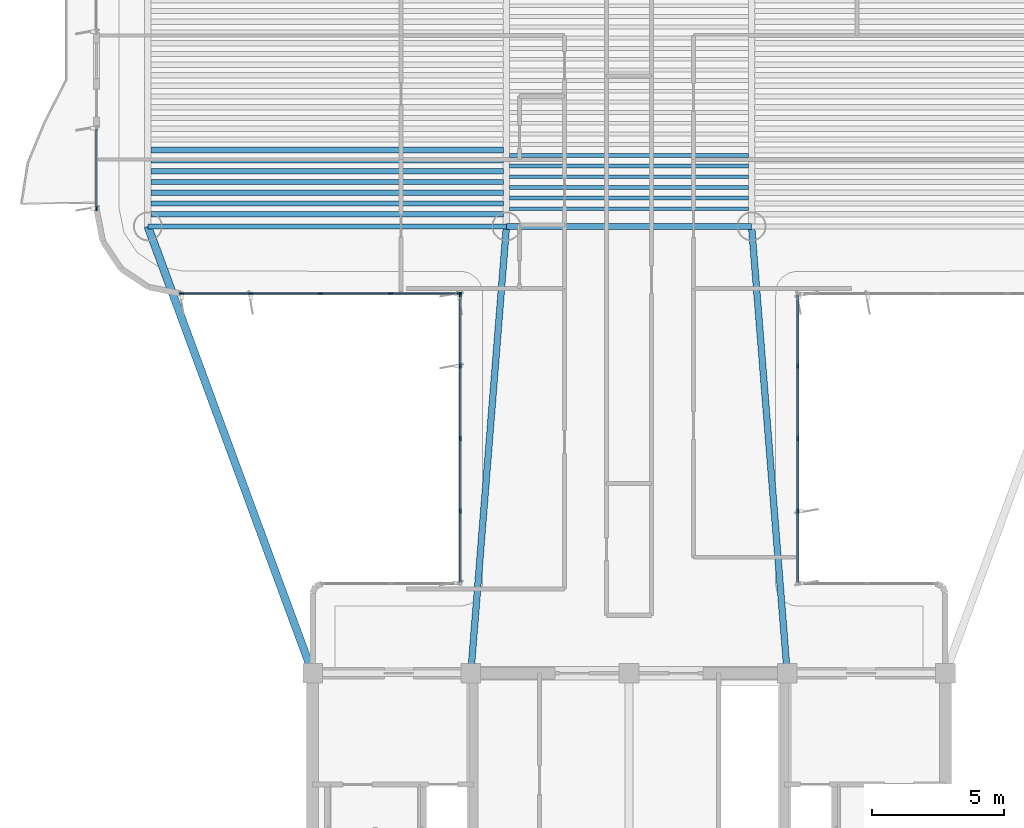
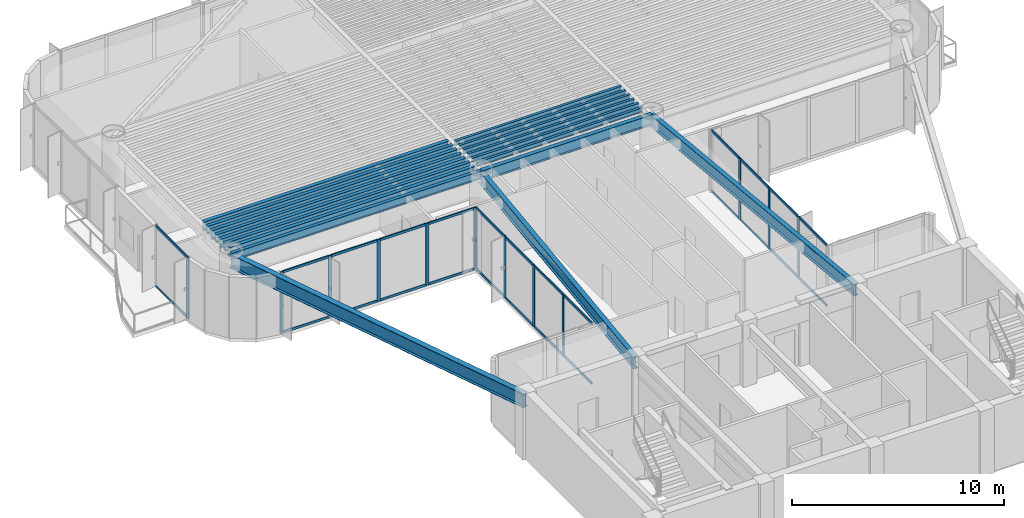
# One storey, part 3 of 14: 39 members, 18 beams, 4 elements without a shape of their own.
"""IFC4 building model written with IfcOpenShell, lengths in metres."""

from ifc_helpers import new_model, si_unit, direction, frame, origin, origin_2d, place, context, subcontext, project, spatial, rectangle, i_section, extrude, source, transform, mapped, material, layer, layer_set, material_profile, profile_set, type_object, element, aggregate, save


model = new_model("IFC4")

# Units and contexts
model_context = context("Model", 3, precision=1e-05, world=origin(), true_north=direction((0.0, 1.0)))
body_context = subcontext(model_context, "Body", "Model", "MODEL_VIEW")
ifc_project = project(units=[si_unit("LENGTHUNIT", "METRE"), si_unit("AREAUNIT", "SQUARE_METRE"), si_unit("VOLUMEUNIT", "CUBIC_METRE"), si_unit("PLANEANGLEUNIT", "RADIAN"), si_unit("MASSUNIT", "GRAM", prefix="KILO")], contexts=[model_context])

# Site, building, storey
site_placement = place(None, origin())
site = spatial("IfcSite", under=ifc_project, at=site_placement, CompositionType="ELEMENT")
building_placement = place(site_placement, origin())
building = spatial("IfcBuilding", under=site, at=building_placement, Name="Brelvock Crest Care Tower", CompositionType="ELEMENT")
storey_placement = place(building_placement, frame((0.0, 0.0, 201.780029296875)))
storey = spatial("IfcBuildingStorey", under=building, at=storey_placement, Name="L51", CompositionType="ELEMENT", Elevation=201.780029296875)

# Beams
ifc_material_1 = material(Name="Steel Grade 350", Category="steel")
ifc_material_profile_1 = material_profile(ifc_material_1, i_section(OverallWidth=0.22900390625, OverallDepth=0.612060546875, WebThickness=0.011962890625, FlangeThickness=0.01953125, FilletRadius=0.013916015625, at=origin_2d()), Name="610UB125")
ifc_profile_set_1 = profile_set([ifc_material_profile_1], Name="Steel Grade 350")
beam_type_1 = type_object("IfcBeamType", Name="BM-G1", PredefinedType="BEAM", material=ifc_profile_set_1)
shared_shape_1 = source(origin(), body_context, "Body", "SweptSolid", [
    extrude(i_section(OverallWidth=0.22900390625, OverallDepth=0.612060546875, WebThickness=0.011962890625, FlangeThickness=0.01953125, FilletRadius=0.013916015625, at=origin_2d()), origin(), (0.0, 0.0, 1.0), 9.2998046875),
])
beam_1_placement = place(storey_placement, frame((31.35009765625, 34.949951171875, 3.223876953125), z_axis=(1.0, 0.0, 0.0), x_axis=(0.0, 1.0, 0.0)))
element("IfcBeam", 1, at=beam_1_placement, inside=storey, type_object=beam_type_1, Name="BM-TWR-L51-05", PredefinedType="BEAM", context=body_context, shape_type="MappedRepresentation", body=[
    mapped(shared_shape_1, transform((0.0, 0.0, 0.0), x_axis=(1.0, 0.0, 0.0), y_axis=(0.0, 1.0, 0.0), z_axis=(0.0, 0.0, 1.0), scale=1.0)),
])
ifc_material_profile_2 = material_profile(ifc_material_1, i_section(OverallWidth=0.14599609375, OverallDepth=0.256103515625, WebThickness=0.00634765625, FlangeThickness=0.010986328125, FilletRadius=0.0087890625, at=origin_2d()), Name="250UB37.3")
ifc_profile_set_2 = profile_set([ifc_material_profile_2], Name="Steel Grade 350")
beam_type_2 = type_object("IfcBeamType", Name="BM-J3", PredefinedType="JOIST", material=ifc_profile_set_2)
shared_shape_2 = source(origin(), body_context, "Body", "SweptSolid", [
    extrude(i_section(OverallWidth=0.14599609375, OverallDepth=0.256103515625, WebThickness=0.00634765625, FlangeThickness=0.010986328125, FilletRadius=0.0087890625, at=origin_2d()), origin(), (0.0, 0.0, 1.0), 9.06982421875),
])
for number, where, z_axis, x_axis, name in (
    (2, (31.465087890625, 35.618896484375, 3.40185546875), (1.0, 0.0, 0.0), (0.0, 1.0, 0.0), "BM-JH-L51-1"),
    (3, (31.465087890625, 36.02392578125, 3.40185546875), (1.0, 0.0, 0.0), (0.0, 1.0, 0.0), "BM-JH-L51-2"),
    (4, (31.465087890625, 36.42919921875, 3.40185546875), (1.0, 0.0, 0.0), (0.0, 1.0, 0.0), "BM-JH-L51-3"),
    (5, (31.465087890625, 36.834228515625, 3.40185546875), (1.0, 0.0, 0.0), (0.0, 1.0, 0.0), "BM-JH-L51-4"),
    (6, (31.465087890625, 37.239501953125, 3.40185546875), (1.0, 0.0, 0.0), (0.0, 1.0, 0.0), "BM-JH-L51-5"),
    (7, (31.465087890625, 37.64453125, 3.40185546875), (1.0, 0.0, 0.0), (0.0, 1.0, 0.0), "BM-JH-L51-6"),
):
    element("IfcBeam", number, at=place(storey_placement, frame(where, z_axis=z_axis, x_axis=x_axis)), inside=storey, type_object=beam_type_2, Name=name, PredefinedType="JOIST", context=body_context, shape_type="MappedRepresentation", body=[
        mapped(shared_shape_2, transform((0.0, 0.0, 0.0), x_axis=(1.0, 0.0, 0.0), y_axis=(0.0, 1.0, 0.0), z_axis=(0.0, 0.0, 1.0), scale=1.0)),
    ])
ifc_material_profile_3 = material_profile(ifc_material_1, i_section(OverallWidth=0.208984375, OverallDepth=0.532958984375, WebThickness=0.01025390625, FlangeThickness=0.015625, FilletRadius=0.013916015625, at=origin_2d()), Name="530UB92.4")
ifc_profile_set_3 = profile_set([ifc_material_profile_3], Name="Steel Grade 350")
beam_type_3 = type_object("IfcBeamType", Name="BM-G2", PredefinedType="BEAM", material=ifc_profile_set_3)
shared_shape_3 = source(origin(), body_context, "Body", "SweptSolid", [
    extrude(i_section(OverallWidth=0.208984375, OverallDepth=0.532958984375, WebThickness=0.01025390625, FlangeThickness=0.015625, FilletRadius=0.013916015625, at=origin_2d()), origin(), (0.0, 0.0, 1.0), 13.3701171875),
])
for number, where, z_axis, x_axis, name in (
    (8, (17.864990234375, 35.416259765625, 3.263427734375), (1.0, 0.0, 0.0), (0.0, 1.0, 0.0), "BM-JW-L51-1"),
    (9, (17.864990234375, 36.2265625, 3.263427734375), (1.0, 0.0, 0.0), (0.0, 1.0, 0.0), "BM-JW-L51-3"),
    (10, (17.864990234375, 37.036865234375, 3.263427734375), (1.0, 0.0, 0.0), (0.0, 1.0, 0.0), "BM-JW-L51-5"),
    (11, (17.864990234375, 37.84716796875, 3.263427734375), (1.0, 0.0, 0.0), (0.0, 1.0, 0.0), "BM-JW-L51-7"),
):
    element("IfcBeam", number, at=place(storey_placement, frame(where, z_axis=z_axis, x_axis=x_axis)), inside=storey, type_object=beam_type_3, Name=name, PredefinedType="BEAM", context=body_context, shape_type="MappedRepresentation", body=[
        mapped(shared_shape_3, transform((0.0, 0.0, 0.0), x_axis=(1.0, 0.0, 0.0), y_axis=(0.0, 1.0, 0.0), z_axis=(0.0, 0.0, 1.0), scale=1.0)),
    ])
ifc_material_profile_4 = material_profile(ifc_material_1, i_section(OverallWidth=0.19091796875, OverallDepth=0.4599609375, WebThickness=0.010009765625, FlangeThickness=0.01611328125, FilletRadius=0.011474609375, at=origin_2d()), Name="460UB82.1")
ifc_profile_set_4 = profile_set([ifc_material_profile_4], Name="Steel Grade 350")
beam_type_4 = type_object("IfcBeamType", Name="BM-G3", PredefinedType="BEAM", material=ifc_profile_set_4)
shared_shape_4 = source(origin(), body_context, "Body", "SweptSolid", [
    extrude(i_section(OverallWidth=0.19091796875, OverallDepth=0.4599609375, WebThickness=0.010009765625, FlangeThickness=0.01611328125, FilletRadius=0.011474609375, at=origin_2d()), origin(), (0.0, 0.0, 1.0), 13.3701171875),
])
for number, where, z_axis, x_axis, name in (
    (12, (17.864990234375, 35.8212890625, 3.300048828125), (1.0, 0.0, 0.0), (0.0, 1.0, 0.0), "BM-JW-L51-2"),
    (13, (17.864990234375, 36.631591796875, 3.300048828125), (1.0, 0.0, 0.0), (0.0, 1.0, 0.0), "BM-JW-L51-4"),
    (14, (17.864990234375, 37.44189453125, 3.300048828125), (1.0, 0.0, 0.0), (0.0, 1.0, 0.0), "BM-JW-L51-6"),
):
    element("IfcBeam", number, at=place(storey_placement, frame(where, z_axis=z_axis, x_axis=x_axis)), inside=storey, type_object=beam_type_4, Name=name, PredefinedType="BEAM", context=body_context, shape_type="MappedRepresentation", body=[
        mapped(shared_shape_4, transform((0.0, 0.0, 0.0), x_axis=(1.0, 0.0, 0.0), y_axis=(0.0, 1.0, 0.0), z_axis=(0.0, 0.0, 1.0), scale=1.0)),
    ])
ifc_material_profile_5 = material_profile(ifc_material_1, i_section(OverallWidth=0.19091796875, OverallDepth=0.4599609375, WebThickness=0.010009765625, FlangeThickness=0.01611328125, FilletRadius=0.011474609375, at=origin_2d()), Name="460UB82.1")
ifc_profile_set_5 = profile_set([ifc_material_profile_5], Name="Steel Grade 350")
beam_type_5 = type_object("IfcBeamType", Name="BM-SP2", PredefinedType="SPANDREL", material=ifc_profile_set_5)
shared_shape_5 = source(origin(), body_context, "Body", "SweptSolid", [
    extrude(i_section(OverallWidth=0.19091796875, OverallDepth=0.4599609375, WebThickness=0.010009765625, FlangeThickness=0.01611328125, FilletRadius=0.011474609375, at=origin_2d()), origin(), (0.0, 0.0, 1.0), 13.60009765625),
])
beam_2_placement = place(storey_placement, frame((17.75, 34.949951171875, 3.300048828125), z_axis=(1.0, 0.0, 0.0), x_axis=(0.0, 1.0, 0.0)))
element("IfcBeam", 15, at=beam_2_placement, inside=storey, type_object=beam_type_5, Name="BM-TWR-L51-03", PredefinedType="SPANDREL", context=body_context, shape_type="MappedRepresentation", body=[
    mapped(shared_shape_5, transform((0.0, 0.0, 0.0), x_axis=(1.0, 0.0, 0.0), y_axis=(0.0, 1.0, 0.0), z_axis=(0.0, 0.0, 1.0), scale=1.0)),
])
ifc_material_profile_6 = material_profile(ifc_material_1, i_section(OverallWidth=0.25, OverallDepth=0.699951171875, WebThickness=0.011962890625, FlangeThickness=0.02001953125, at=origin_2d()), Name="700WB150")
ifc_profile_set_6 = profile_set([ifc_material_profile_6], Name="Steel Grade 350")
beam_type_6 = type_object("IfcBeamType", Name="BM-G4", PredefinedType="BEAM", material=ifc_profile_set_6)
shared_shape_6 = source(origin(), body_context, "Body", "SweptSolid", [
    extrude(i_section(OverallWidth=0.25, OverallDepth=0.699951171875, WebThickness=0.011962890625, FlangeThickness=0.02001953125, at=origin_2d()), origin(), (0.0, 0.0, 1.0), 17.003662109375),
])
for number, where, z_axis, x_axis, name in (
    (16, (30.0, 18.0, 3.179931640625), (0.079400530776, 0.996842793881, 0.0), (-0.996842793881, 0.079400530776, 0.0), "BM-THRW-L51"),
    (17, (42.0, 18.0, 3.179931640625), (-0.079400530776, 0.996842793881, 0.0), (-0.996842793881, -0.079400530776, 0.0), "BM-THRE-L51"),
):
    element("IfcBeam", number, at=place(storey_placement, frame(where, z_axis=z_axis, x_axis=x_axis)), inside=storey, type_object=beam_type_6, Name=name, PredefinedType="BEAM", context=body_context, shape_type="MappedRepresentation", body=[
        mapped(shared_shape_6, transform((0.0, 0.0, 0.0), x_axis=(1.0, 0.0, 0.0), y_axis=(0.0, 1.0, 0.0), z_axis=(0.0, 0.0, 1.0), scale=1.0)),
    ])
ifc_material_profile_7 = material_profile(ifc_material_1, i_section(OverallWidth=0.300048828125, OverallDepth=0.800048828125, WebThickness=0.013916015625, FlangeThickness=0.02197265625, at=origin_2d()), Name="800WB192")
ifc_profile_set_7 = profile_set([ifc_material_profile_7], Name="Steel Grade 350")
beam_type_7 = type_object("IfcBeamType", Name="BM-G5", PredefinedType="BEAM", material=ifc_profile_set_7)
shared_shape_7 = source(origin(), body_context, "Body", "SweptSolid", [
    extrude(i_section(OverallWidth=0.300048828125, OverallDepth=0.800048828125, WebThickness=0.013916015625, FlangeThickness=0.02197265625, at=origin_2d()), origin(), (0.0, 0.0, 1.0), 18.0654296875),
])
beam_3_placement = place(storey_placement, frame((24.0, 18.0, 3.1298828125), z_axis=(-0.345962741309, 0.938248251597, 0.0), x_axis=(-0.938248251597, -0.345962741309, 0.0)))
element("IfcBeam", 18, at=beam_3_placement, inside=storey, type_object=beam_type_7, Name="BM-THRO-W-L51", PredefinedType="BEAM", context=body_context, shape_type="MappedRepresentation", body=[
    mapped(shared_shape_7, transform((0.0, 0.0, 0.0), x_axis=(1.0, 0.0, 0.0), y_axis=(0.0, 1.0, 0.0), z_axis=(0.0, 0.0, 1.0), scale=1.0)),
])

# Curtain wall, members
ifc_material_2 = material(Name="Dark Glass Double Glazed Low-E", Category="glass")
ifc_layer = layer(ifc_material_2, 0.22509765625, Name="CWS-4")
ifc_layer_set = layer_set([ifc_layer], Name="Dark Glass Double Glazed Low-E")
curtain_wall_type = type_object("IfcCurtainWallType", Name="CWS-4", PredefinedType="NOTDEFINED", material=ifc_layer_set)
curtain_wall_1_placement = place(storey_placement, origin())
curtain_wall_1 = element("IfcCurtainWall", 19, at=curtain_wall_1_placement, inside=storey, type_object=curtain_wall_type, Name="L51 Curtain Wall E11", PredefinedType="NOTDEFINED")
ifc_material_3 = material(Name="Aluminium 6063-T6", Category="aluminium")
ifc_material_profile_8 = material_profile(ifc_material_3, rectangle(XDim=0.06005859375, YDim=0.179931640625, at=origin_2d()), Name="ALU60x180")
ifc_profile_set_8 = profile_set([ifc_material_profile_8], Name="Aluminium 6063-T6")
member_type_1 = type_object("IfcMemberType", Name="CWM-2", PredefinedType="MULLION", material=ifc_profile_set_8)
shared_shape_8 = source(origin(), body_context, "Body", "SweptSolid", [
    extrude(rectangle(XDim=0.06005859375, YDim=0.179931640625, at=origin_2d()), origin(), (0.0, 0.0, 1.0), 3.530029296875),
])
member_1_placement = place(storey_placement, frame((29.60009765625, 24.14990234375, 0.0), z_axis=(0.0, 0.0, 1.0), x_axis=(-1.0, 0.0, 0.0)))
member_1 = element("IfcMember", 20, at=member_1_placement, type_object=member_type_1, Name="CW-4 mullion 2", PredefinedType="MULLION", context=body_context, shape_type="MappedRepresentation", body=[
    mapped(shared_shape_8, transform((0.0, 0.0, 0.0), x_axis=(1.0, 0.0, 0.0), y_axis=(0.0, 1.0, 0.0), z_axis=(0.0, 0.0, 1.0), scale=1.0)),
])
member_2_placement = place(storey_placement, frame((29.60009765625, 26.89990234375, 0.0), z_axis=(0.0, 0.0, 1.0), x_axis=(-1.0, 0.0, 0.0)))
member_2 = element("IfcMember", 21, at=member_2_placement, type_object=member_type_1, Name="CW-4 mullion 3", PredefinedType="MULLION", context=body_context, shape_type="MappedRepresentation", body=[
    mapped(shared_shape_8, transform((0.0, 0.0, 0.0), x_axis=(1.0, 0.0, 0.0), y_axis=(0.0, 1.0, 0.0), z_axis=(0.0, 0.0, 1.0), scale=1.0)),
])
member_3_placement = place(storey_placement, frame((29.60009765625, 29.64990234375, 0.0), z_axis=(0.0, 0.0, 1.0), x_axis=(-1.0, 0.0, 0.0)))
member_3 = element("IfcMember", 22, at=member_3_placement, type_object=member_type_1, Name="CW-4 mullion 4", PredefinedType="MULLION", context=body_context, shape_type="MappedRepresentation", body=[
    mapped(shared_shape_8, transform((0.0, 0.0, 0.0), x_axis=(1.0, 0.0, 0.0), y_axis=(0.0, 1.0, 0.0), z_axis=(0.0, 0.0, 1.0), scale=1.0)),
])
member_4_placement = place(storey_placement, frame((29.60009765625, 32.3701171875, 0.0), z_axis=(0.0, 0.0, 1.0), x_axis=(-1.0, 0.0, 0.0)))
member_4 = element("IfcMember", 23, at=member_4_placement, type_object=member_type_1, Name="CW-4 mullion 5", PredefinedType="MULLION", context=body_context, shape_type="MappedRepresentation", body=[
    mapped(shared_shape_8, transform((0.0, 0.0, 0.0), x_axis=(1.0, 0.0, 0.0), y_axis=(0.0, 1.0, 0.0), z_axis=(0.0, 0.0, 1.0), scale=1.0)),
])

curtain_wall_2_placement = place(storey_placement, origin())
curtain_wall_2 = element("IfcCurtainWall", 24, at=curtain_wall_2_placement, inside=storey, type_object=curtain_wall_type, Name="L51 Curtain Wall E12", PredefinedType="NOTDEFINED")
member_5_placement = place(storey_placement, frame((29.570068359375, 32.39990234375, 0.0), z_axis=(0.0, 0.0, 1.0), x_axis=(0.0, -1.0, 0.0)))
member_5 = element("IfcMember", 25, at=member_5_placement, type_object=member_type_1, Name="CW-4 mullion 1", PredefinedType="MULLION", context=body_context, shape_type="MappedRepresentation", body=[
    mapped(shared_shape_8, transform((0.0, 0.0, 0.0), x_axis=(1.0, 0.0, 0.0), y_axis=(0.0, 1.0, 0.0), z_axis=(0.0, 0.0, 1.0), scale=1.0)),
])
member_6_placement = place(storey_placement, frame((26.949951171875, 32.39990234375, 0.0), z_axis=(0.0, 0.0, 1.0), x_axis=(0.0, -1.0, 0.0)))
member_6 = element("IfcMember", 26, at=member_6_placement, type_object=member_type_1, Name="CW-4 mullion 2", PredefinedType="MULLION", context=body_context, shape_type="MappedRepresentation", body=[
    mapped(shared_shape_8, transform((0.0, 0.0, 0.0), x_axis=(1.0, 0.0, 0.0), y_axis=(0.0, 1.0, 0.0), z_axis=(0.0, 0.0, 1.0), scale=1.0)),
])
member_7_placement = place(storey_placement, frame((24.300048828125, 32.39990234375, 0.0), z_axis=(0.0, 0.0, 1.0), x_axis=(0.0, -1.0, 0.0)))
member_7 = element("IfcMember", 27, at=member_7_placement, type_object=member_type_1, Name="CW-4 mullion 3", PredefinedType="MULLION", context=body_context, shape_type="MappedRepresentation", body=[
    mapped(shared_shape_8, transform((0.0, 0.0, 0.0), x_axis=(1.0, 0.0, 0.0), y_axis=(0.0, 1.0, 0.0), z_axis=(0.0, 0.0, 1.0), scale=1.0)),
])
member_8_placement = place(storey_placement, frame((21.64990234375, 32.39990234375, 0.0), z_axis=(0.0, 0.0, 1.0), x_axis=(0.0, -1.0, 0.0)))
member_8 = element("IfcMember", 28, at=member_8_placement, type_object=member_type_1, Name="CW-4 mullion 4", PredefinedType="MULLION", context=body_context, shape_type="MappedRepresentation", body=[
    mapped(shared_shape_8, transform((0.0, 0.0, 0.0), x_axis=(1.0, 0.0, 0.0), y_axis=(0.0, 1.0, 0.0), z_axis=(0.0, 0.0, 1.0), scale=1.0)),
])
member_9_placement = place(storey_placement, frame((19.030029296875, 32.39990234375, 0.0), z_axis=(0.0, 0.0, 1.0), x_axis=(0.0, -1.0, 0.0)))
member_9 = element("IfcMember", 29, at=member_9_placement, type_object=member_type_1, Name="CW-4 mullion 5", PredefinedType="MULLION", context=body_context, shape_type="MappedRepresentation", body=[
    mapped(shared_shape_8, transform((0.0, 0.0, 0.0), x_axis=(1.0, 0.0, 0.0), y_axis=(0.0, 1.0, 0.0), z_axis=(0.0, 0.0, 1.0), scale=1.0)),
])

# Curtain wall, member
curtain_wall_3_placement = place(storey_placement, origin())
curtain_wall_3 = element("IfcCurtainWall", 30, at=curtain_wall_3_placement, inside=storey, type_object=curtain_wall_type, Name="L51 Curtain Wall E17A", PredefinedType="NOTDEFINED")
member_10_placement = place(storey_placement, frame((15.800048828125, 35.6298828125, 0.0), z_axis=(0.0, 0.0, 1.0), x_axis=(-1.0, 0.0, 0.0)))
member_10 = element("IfcMember", 31, at=member_10_placement, type_object=member_type_1, Name="CW-4 mullion 1", PredefinedType="MULLION", context=body_context, shape_type="MappedRepresentation", body=[
    mapped(shared_shape_8, transform((0.0, 0.0, 0.0), x_axis=(1.0, 0.0, 0.0), y_axis=(0.0, 1.0, 0.0), z_axis=(0.0, 0.0, 1.0), scale=1.0)),
])

# Curtain wall, members
curtain_wall_4_placement = place(storey_placement, origin())
curtain_wall_4 = element("IfcCurtainWall", 32, at=curtain_wall_4_placement, inside=storey, type_object=curtain_wall_type, Name="L51 Curtain Wall E45", PredefinedType="NOTDEFINED")
member_11_placement = place(storey_placement, frame((42.39990234375, 29.64990234375, 0.0), z_axis=(0.0, 0.0, 1.0), x_axis=(1.0, 0.0, 0.0)))
member_11 = element("IfcMember", 33, at=member_11_placement, type_object=member_type_1, Name="CW-4 mullion 2", PredefinedType="MULLION", context=body_context, shape_type="MappedRepresentation", body=[
    mapped(shared_shape_8, transform((0.0, 0.0, 0.0), x_axis=(1.0, 0.0, 0.0), y_axis=(0.0, 1.0, 0.0), z_axis=(0.0, 0.0, 1.0), scale=1.0)),
])
member_12_placement = place(storey_placement, frame((42.39990234375, 26.89990234375, 0.0), z_axis=(0.0, 0.0, 1.0), x_axis=(1.0, 0.0, 0.0)))
member_12 = element("IfcMember", 34, at=member_12_placement, type_object=member_type_1, Name="CW-4 mullion 3", PredefinedType="MULLION", context=body_context, shape_type="MappedRepresentation", body=[
    mapped(shared_shape_8, transform((0.0, 0.0, 0.0), x_axis=(1.0, 0.0, 0.0), y_axis=(0.0, 1.0, 0.0), z_axis=(0.0, 0.0, 1.0), scale=1.0)),
])
member_13_placement = place(storey_placement, frame((42.39990234375, 24.14990234375, 0.0), z_axis=(0.0, 0.0, 1.0), x_axis=(1.0, 0.0, 0.0)))
member_13 = element("IfcMember", 35, at=member_13_placement, type_object=member_type_1, Name="CW-4 mullion 4", PredefinedType="MULLION", context=body_context, shape_type="MappedRepresentation", body=[
    mapped(shared_shape_8, transform((0.0, 0.0, 0.0), x_axis=(1.0, 0.0, 0.0), y_axis=(0.0, 1.0, 0.0), z_axis=(0.0, 0.0, 1.0), scale=1.0)),
])

# Member
ifc_material_profile_9 = material_profile(ifc_material_3, rectangle(XDim=0.06005859375, YDim=0.139892578125, at=origin_2d()), Name="ALU60x140")
ifc_profile_set_9 = profile_set([ifc_material_profile_9], Name="Aluminium 6063-T6")
member_type_2 = type_object("IfcMemberType", Name="CWT-2", PredefinedType="USERDEFINED", material=ifc_profile_set_9)
shared_shape_9 = source(origin(), body_context, "Body", "SweptSolid", [
    extrude(rectangle(XDim=0.06005859375, YDim=0.139892578125, at=origin_2d()), origin(), (0.0, 0.0, 1.0), 2.66015625),
])
member_14_placement = place(storey_placement, frame((29.60009765625, 21.4599609375, 0.030029296875), z_axis=(0.0, 1.0, 0.0), x_axis=(-1.0, 0.0, 0.0)))
member_14 = element("IfcMember", 36, at=member_14_placement, type_object=member_type_2, Name="CW-4 transom 1.1", ObjectType="TRANSOM", PredefinedType="USERDEFINED", context=body_context, shape_type="MappedRepresentation", body=[
    mapped(shared_shape_9, transform((0.0, 0.0, 0.0), x_axis=(1.0, 0.0, 0.0), y_axis=(0.0, 1.0, 0.0), z_axis=(0.0, 0.0, 1.0), scale=1.0)),
])

member_15_placement = place(storey_placement, frame((29.60009765625, 21.4599609375, 3.5), z_axis=(0.0, 1.0, 0.0), x_axis=(-1.0, 0.0, 0.0)))
member_15 = element("IfcMember", 37, at=member_15_placement, type_object=member_type_2, Name="CW-4 transom 1.2", ObjectType="TRANSOM", PredefinedType="USERDEFINED", context=body_context, shape_type="MappedRepresentation", body=[
    mapped(shared_shape_9, transform((0.0, 0.0, 0.0), x_axis=(1.0, 0.0, 0.0), y_axis=(0.0, 1.0, 0.0), z_axis=(0.0, 0.0, 1.0), scale=1.0)),
])

member_16_placement = place(storey_placement, frame((29.60009765625, 29.679931640625, 0.030029296875), z_axis=(0.0, 1.0, 0.0), x_axis=(-1.0, 0.0, 0.0)))
member_16 = element("IfcMember", 38, at=member_16_placement, type_object=member_type_2, Name="CW-4 transom 4.1", ObjectType="TRANSOM", PredefinedType="USERDEFINED", context=body_context, shape_type="MappedRepresentation", body=[
    mapped(shared_shape_9, transform((0.0, 0.0, 0.0), x_axis=(1.0, 0.0, 0.0), y_axis=(0.0, 1.0, 0.0), z_axis=(0.0, 0.0, 1.0), scale=1.0)),
])

member_17_placement = place(storey_placement, frame((29.60009765625, 29.679931640625, 3.5), z_axis=(0.0, 1.0, 0.0), x_axis=(-1.0, 0.0, 0.0)))
member_17 = element("IfcMember", 39, at=member_17_placement, type_object=member_type_2, Name="CW-4 transom 4.2", ObjectType="TRANSOM", PredefinedType="USERDEFINED", context=body_context, shape_type="MappedRepresentation", body=[
    mapped(shared_shape_9, transform((0.0, 0.0, 0.0), x_axis=(1.0, 0.0, 0.0), y_axis=(0.0, 1.0, 0.0), z_axis=(0.0, 0.0, 1.0), scale=1.0)),
])

member_18_placement = place(storey_placement, frame((42.39990234375, 32.340087890625, 0.030029296875), z_axis=(0.0, -1.0, 0.0), x_axis=(1.0, 0.0, 0.0)))
member_18 = element("IfcMember", 40, at=member_18_placement, type_object=member_type_2, Name="CW-4 transom 1.1", ObjectType="TRANSOM", PredefinedType="USERDEFINED", context=body_context, shape_type="MappedRepresentation", body=[
    mapped(shared_shape_9, transform((0.0, 0.0, 0.0), x_axis=(1.0, 0.0, 0.0), y_axis=(0.0, 1.0, 0.0), z_axis=(0.0, 0.0, 1.0), scale=1.0)),
])

member_19_placement = place(storey_placement, frame((42.39990234375, 32.340087890625, 3.5), z_axis=(0.0, -1.0, 0.0), x_axis=(1.0, 0.0, 0.0)))
member_19 = element("IfcMember", 41, at=member_19_placement, type_object=member_type_2, Name="CW-4 transom 1.2", ObjectType="TRANSOM", PredefinedType="USERDEFINED", context=body_context, shape_type="MappedRepresentation", body=[
    mapped(shared_shape_9, transform((0.0, 0.0, 0.0), x_axis=(1.0, 0.0, 0.0), y_axis=(0.0, 1.0, 0.0), z_axis=(0.0, 0.0, 1.0), scale=1.0)),
])

member_20_placement = place(storey_placement, frame((42.39990234375, 24.1201171875, 0.030029296875), z_axis=(0.0, -1.0, 0.0), x_axis=(1.0, 0.0, 0.0)))
member_20 = element("IfcMember", 42, at=member_20_placement, type_object=member_type_2, Name="CW-4 transom 4.1", ObjectType="TRANSOM", PredefinedType="USERDEFINED", context=body_context, shape_type="MappedRepresentation", body=[
    mapped(shared_shape_9, transform((0.0, 0.0, 0.0), x_axis=(1.0, 0.0, 0.0), y_axis=(0.0, 1.0, 0.0), z_axis=(0.0, 0.0, 1.0), scale=1.0)),
])

member_21_placement = place(storey_placement, frame((42.39990234375, 24.1201171875, 3.5), z_axis=(0.0, -1.0, 0.0), x_axis=(1.0, 0.0, 0.0)))
member_21 = element("IfcMember", 43, at=member_21_placement, type_object=member_type_2, Name="CW-4 transom 4.2", ObjectType="TRANSOM", PredefinedType="USERDEFINED", context=body_context, shape_type="MappedRepresentation", body=[
    mapped(shared_shape_9, transform((0.0, 0.0, 0.0), x_axis=(1.0, 0.0, 0.0), y_axis=(0.0, 1.0, 0.0), z_axis=(0.0, 0.0, 1.0), scale=1.0)),
])

shared_shape_10 = source(origin(), body_context, "Body", "SweptSolid", [
    extrude(rectangle(XDim=0.06005859375, YDim=0.139892578125, at=origin_2d()), origin(), (0.0, 0.0, 1.0), 2.690185546875),
])
member_22_placement = place(storey_placement, frame((29.60009765625, 24.179931640625, 0.030029296875), z_axis=(0.0, 1.0, 0.0), x_axis=(-1.0, 0.0, 0.0)))
member_22 = element("IfcMember", 44, at=member_22_placement, type_object=member_type_2, Name="CW-4 transom 2.1", ObjectType="TRANSOM", PredefinedType="USERDEFINED", context=body_context, shape_type="MappedRepresentation", body=[
    mapped(shared_shape_10, transform((0.0, 0.0, 0.0), x_axis=(1.0, 0.0, 0.0), y_axis=(0.0, 1.0, 0.0), z_axis=(0.0, 0.0, 1.0), scale=1.0)),
])

member_23_placement = place(storey_placement, frame((29.60009765625, 24.179931640625, 3.5), z_axis=(0.0, 1.0, 0.0), x_axis=(-1.0, 0.0, 0.0)))
member_23 = element("IfcMember", 45, at=member_23_placement, type_object=member_type_2, Name="CW-4 transom 2.2", ObjectType="TRANSOM", PredefinedType="USERDEFINED", context=body_context, shape_type="MappedRepresentation", body=[
    mapped(shared_shape_10, transform((0.0, 0.0, 0.0), x_axis=(1.0, 0.0, 0.0), y_axis=(0.0, 1.0, 0.0), z_axis=(0.0, 0.0, 1.0), scale=1.0)),
])

member_24_placement = place(storey_placement, frame((29.60009765625, 26.929931640625, 0.030029296875), z_axis=(0.0, 1.0, 0.0), x_axis=(-1.0, 0.0, 0.0)))
member_24 = element("IfcMember", 46, at=member_24_placement, type_object=member_type_2, Name="CW-4 transom 3.1", ObjectType="TRANSOM", PredefinedType="USERDEFINED", context=body_context, shape_type="MappedRepresentation", body=[
    mapped(shared_shape_10, transform((0.0, 0.0, 0.0), x_axis=(1.0, 0.0, 0.0), y_axis=(0.0, 1.0, 0.0), z_axis=(0.0, 0.0, 1.0), scale=1.0)),
])

member_25_placement = place(storey_placement, frame((29.60009765625, 26.929931640625, 3.5), z_axis=(0.0, 1.0, 0.0), x_axis=(-1.0, 0.0, 0.0)))
member_25 = element("IfcMember", 47, at=member_25_placement, type_object=member_type_2, Name="CW-4 transom 3.2", ObjectType="TRANSOM", PredefinedType="USERDEFINED", context=body_context, shape_type="MappedRepresentation", body=[
    mapped(shared_shape_10, transform((0.0, 0.0, 0.0), x_axis=(1.0, 0.0, 0.0), y_axis=(0.0, 1.0, 0.0), z_axis=(0.0, 0.0, 1.0), scale=1.0)),
])

aggregate(curtain_wall_1, [member_1, member_2, member_3, member_4, member_14, member_15, member_22, member_23, member_24, member_25, member_16, member_17])

member_26_placement = place(storey_placement, frame((42.39990234375, 29.6201171875, 0.030029296875), z_axis=(0.0, -1.0, 0.0), x_axis=(1.0, 0.0, 0.0)))
member_26 = element("IfcMember", 48, at=member_26_placement, type_object=member_type_2, Name="CW-4 transom 2.1", ObjectType="TRANSOM", PredefinedType="USERDEFINED", context=body_context, shape_type="MappedRepresentation", body=[
    mapped(shared_shape_10, transform((0.0, 0.0, 0.0), x_axis=(1.0, 0.0, 0.0), y_axis=(0.0, 1.0, 0.0), z_axis=(0.0, 0.0, 1.0), scale=1.0)),
])

member_27_placement = place(storey_placement, frame((42.39990234375, 29.6201171875, 3.5), z_axis=(0.0, -1.0, 0.0), x_axis=(1.0, 0.0, 0.0)))
member_27 = element("IfcMember", 49, at=member_27_placement, type_object=member_type_2, Name="CW-4 transom 2.2", ObjectType="TRANSOM", PredefinedType="USERDEFINED", context=body_context, shape_type="MappedRepresentation", body=[
    mapped(shared_shape_10, transform((0.0, 0.0, 0.0), x_axis=(1.0, 0.0, 0.0), y_axis=(0.0, 1.0, 0.0), z_axis=(0.0, 0.0, 1.0), scale=1.0)),
])

member_28_placement = place(storey_placement, frame((42.39990234375, 26.8701171875, 0.030029296875), z_axis=(0.0, -1.0, 0.0), x_axis=(1.0, 0.0, 0.0)))
member_28 = element("IfcMember", 50, at=member_28_placement, type_object=member_type_2, Name="CW-4 transom 3.1", ObjectType="TRANSOM", PredefinedType="USERDEFINED", context=body_context, shape_type="MappedRepresentation", body=[
    mapped(shared_shape_10, transform((0.0, 0.0, 0.0), x_axis=(1.0, 0.0, 0.0), y_axis=(0.0, 1.0, 0.0), z_axis=(0.0, 0.0, 1.0), scale=1.0)),
])

member_29_placement = place(storey_placement, frame((42.39990234375, 26.8701171875, 3.5), z_axis=(0.0, -1.0, 0.0), x_axis=(1.0, 0.0, 0.0)))
member_29 = element("IfcMember", 51, at=member_29_placement, type_object=member_type_2, Name="CW-4 transom 3.2", ObjectType="TRANSOM", PredefinedType="USERDEFINED", context=body_context, shape_type="MappedRepresentation", body=[
    mapped(shared_shape_10, transform((0.0, 0.0, 0.0), x_axis=(1.0, 0.0, 0.0), y_axis=(0.0, 1.0, 0.0), z_axis=(0.0, 0.0, 1.0), scale=1.0)),
])

aggregate(curtain_wall_4, [member_11, member_12, member_13, member_18, member_19, member_26, member_27, member_28, member_29, member_20, member_21])

shared_shape_11 = source(origin(), body_context, "Body", "SweptSolid", [
    extrude(rectangle(XDim=0.06005859375, YDim=0.139892578125, at=origin_2d()), origin(), (0.0, 0.0, 1.0), 2.56005859375),
])
member_30_placement = place(storey_placement, frame((29.5400390625, 32.39990234375, 0.030029296875), z_axis=(-1.0, 0.0, 0.0), x_axis=(0.0, -1.0, 0.0)))
member_30 = element("IfcMember", 52, at=member_30_placement, type_object=member_type_2, Name="CW-4 transom 1.1", ObjectType="TRANSOM", PredefinedType="USERDEFINED", context=body_context, shape_type="MappedRepresentation", body=[
    mapped(shared_shape_11, transform((0.0, 0.0, 0.0), x_axis=(1.0, 0.0, 0.0), y_axis=(0.0, 1.0, 0.0), z_axis=(0.0, 0.0, 1.0), scale=1.0)),
])

member_31_placement = place(storey_placement, frame((29.5400390625, 32.39990234375, 3.5), z_axis=(-1.0, 0.0, 0.0), x_axis=(0.0, -1.0, 0.0)))
member_31 = element("IfcMember", 53, at=member_31_placement, type_object=member_type_2, Name="CW-4 transom 1.2", ObjectType="TRANSOM", PredefinedType="USERDEFINED", context=body_context, shape_type="MappedRepresentation", body=[
    mapped(shared_shape_11, transform((0.0, 0.0, 0.0), x_axis=(1.0, 0.0, 0.0), y_axis=(0.0, 1.0, 0.0), z_axis=(0.0, 0.0, 1.0), scale=1.0)),
])

member_32_placement = place(storey_placement, frame((21.6201171875, 32.39990234375, 0.030029296875), z_axis=(-1.0, 0.0, 0.0), x_axis=(0.0, -1.0, 0.0)))
member_32 = element("IfcMember", 54, at=member_32_placement, type_object=member_type_2, Name="CW-4 transom 4.1", ObjectType="TRANSOM", PredefinedType="USERDEFINED", context=body_context, shape_type="MappedRepresentation", body=[
    mapped(shared_shape_11, transform((0.0, 0.0, 0.0), x_axis=(1.0, 0.0, 0.0), y_axis=(0.0, 1.0, 0.0), z_axis=(0.0, 0.0, 1.0), scale=1.0)),
])

member_33_placement = place(storey_placement, frame((21.6201171875, 32.39990234375, 3.5), z_axis=(-1.0, 0.0, 0.0), x_axis=(0.0, -1.0, 0.0)))
member_33 = element("IfcMember", 55, at=member_33_placement, type_object=member_type_2, Name="CW-4 transom 4.2", ObjectType="TRANSOM", PredefinedType="USERDEFINED", context=body_context, shape_type="MappedRepresentation", body=[
    mapped(shared_shape_11, transform((0.0, 0.0, 0.0), x_axis=(1.0, 0.0, 0.0), y_axis=(0.0, 1.0, 0.0), z_axis=(0.0, 0.0, 1.0), scale=1.0)),
])

shared_shape_12 = source(origin(), body_context, "Body", "SweptSolid", [
    extrude(rectangle(XDim=0.06005859375, YDim=0.139892578125, at=origin_2d()), origin(), (0.0, 0.0, 1.0), 2.58984375),
])
member_34_placement = place(storey_placement, frame((26.919921875, 32.39990234375, 0.030029296875), z_axis=(-1.0, 0.0, 0.0), x_axis=(0.0, -1.0, 0.0)))
member_34 = element("IfcMember", 56, at=member_34_placement, type_object=member_type_2, Name="CW-4 transom 2.1", ObjectType="TRANSOM", PredefinedType="USERDEFINED", context=body_context, shape_type="MappedRepresentation", body=[
    mapped(shared_shape_12, transform((0.0, 0.0, 0.0), x_axis=(1.0, 0.0, 0.0), y_axis=(0.0, 1.0, 0.0), z_axis=(0.0, 0.0, 1.0), scale=1.0)),
])

member_35_placement = place(storey_placement, frame((26.919921875, 32.39990234375, 3.5), z_axis=(-1.0, 0.0, 0.0), x_axis=(0.0, -1.0, 0.0)))
member_35 = element("IfcMember", 57, at=member_35_placement, type_object=member_type_2, Name="CW-4 transom 2.2", ObjectType="TRANSOM", PredefinedType="USERDEFINED", context=body_context, shape_type="MappedRepresentation", body=[
    mapped(shared_shape_12, transform((0.0, 0.0, 0.0), x_axis=(1.0, 0.0, 0.0), y_axis=(0.0, 1.0, 0.0), z_axis=(0.0, 0.0, 1.0), scale=1.0)),
])

shared_shape_13 = source(origin(), body_context, "Body", "SweptSolid", [
    extrude(rectangle(XDim=0.06005859375, YDim=0.139892578125, at=origin_2d()), origin(), (0.0, 0.0, 1.0), 2.590087890625),
])
member_36_placement = place(storey_placement, frame((24.27001953125, 32.39990234375, 0.030029296875), z_axis=(-1.0, 0.0, 0.0), x_axis=(0.0, -1.0, 0.0)))
member_36 = element("IfcMember", 58, at=member_36_placement, type_object=member_type_2, Name="CW-4 transom 3.1", ObjectType="TRANSOM", PredefinedType="USERDEFINED", context=body_context, shape_type="MappedRepresentation", body=[
    mapped(shared_shape_13, transform((0.0, 0.0, 0.0), x_axis=(1.0, 0.0, 0.0), y_axis=(0.0, 1.0, 0.0), z_axis=(0.0, 0.0, 1.0), scale=1.0)),
])

member_37_placement = place(storey_placement, frame((24.27001953125, 32.39990234375, 3.5), z_axis=(-1.0, 0.0, 0.0), x_axis=(0.0, -1.0, 0.0)))
member_37 = element("IfcMember", 59, at=member_37_placement, type_object=member_type_2, Name="CW-4 transom 3.2", ObjectType="TRANSOM", PredefinedType="USERDEFINED", context=body_context, shape_type="MappedRepresentation", body=[
    mapped(shared_shape_13, transform((0.0, 0.0, 0.0), x_axis=(1.0, 0.0, 0.0), y_axis=(0.0, 1.0, 0.0), z_axis=(0.0, 0.0, 1.0), scale=1.0)),
])

aggregate(curtain_wall_2, [member_5, member_6, member_7, member_8, member_9, member_30, member_31, member_34, member_35, member_36, member_37, member_32, member_33])

shared_shape_14 = source(origin(), body_context, "Body", "SweptSolid", [
    extrude(rectangle(XDim=0.06005859375, YDim=0.139892578125, at=origin_2d()), origin(), (0.0, 0.0, 1.0), 2.97998046875),
])
member_38_placement = place(storey_placement, frame((15.800048828125, 35.659912109375, 0.030029296875), z_axis=(0.0, 1.0, 0.0), x_axis=(-1.0, 0.0, 0.0)))
member_38 = element("IfcMember", 60, at=member_38_placement, type_object=member_type_2, Name="CW-4 transom 1.1", ObjectType="TRANSOM", PredefinedType="USERDEFINED", context=body_context, shape_type="MappedRepresentation", body=[
    mapped(shared_shape_14, transform((0.0, 0.0, 0.0), x_axis=(1.0, 0.0, 0.0), y_axis=(0.0, 1.0, 0.0), z_axis=(0.0, 0.0, 1.0), scale=1.0)),
])

member_39_placement = place(storey_placement, frame((15.800048828125, 35.659912109375, 3.5), z_axis=(0.0, 1.0, 0.0), x_axis=(-1.0, 0.0, 0.0)))
member_39 = element("IfcMember", 61, at=member_39_placement, type_object=member_type_2, Name="CW-4 transom 1.2", ObjectType="TRANSOM", PredefinedType="USERDEFINED", context=body_context, shape_type="MappedRepresentation", body=[
    mapped(shared_shape_14, transform((0.0, 0.0, 0.0), x_axis=(1.0, 0.0, 0.0), y_axis=(0.0, 1.0, 0.0), z_axis=(0.0, 0.0, 1.0), scale=1.0)),
])

aggregate(curtain_wall_3, [member_10, member_38, member_39])

save(model, "model.ifc")
